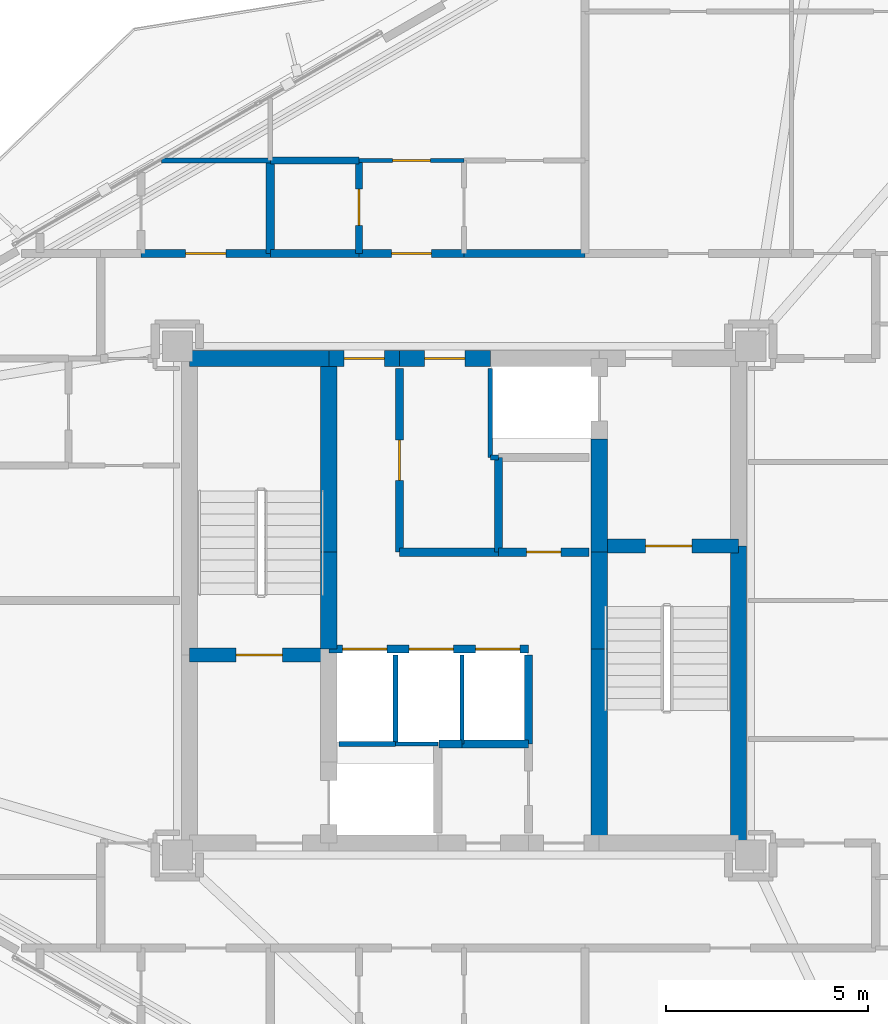
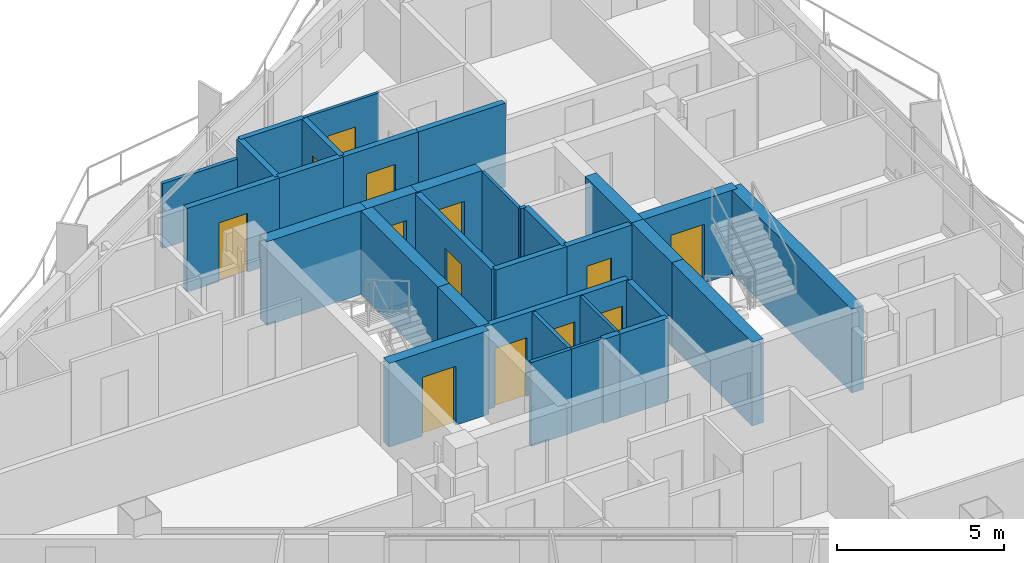
# One storey, part 14 of 18: 34 walls, 13 doors, 13 openings.
"""IFC4 building model written with IfcOpenShell, lengths in metres."""

from ifc_helpers import new_model, si_unit, direction, frame, frame_2d, origin, place, context, subcontext, project, spatial, rectangle, extrude, material, layer, layer_set, type_object, element, fill, save


model = new_model("IFC4")

# Units and contexts
model_context = context("Model", 3, precision=1e-05, world=origin(), true_north=direction((0.0, 1.0)))
body_context = subcontext(model_context, "Body", "Model", "MODEL_VIEW")
ifc_project = project(units=[si_unit("LENGTHUNIT", "METRE"), si_unit("AREAUNIT", "SQUARE_METRE"), si_unit("VOLUMEUNIT", "CUBIC_METRE"), si_unit("PLANEANGLEUNIT", "RADIAN"), si_unit("MASSUNIT", "GRAM", prefix="KILO")], contexts=[model_context])

# Site, building, storey
site_placement = place(None, origin())
site = spatial("IfcSite", under=ifc_project, at=site_placement, CompositionType="ELEMENT")
building_placement = place(site_placement, origin())
building = spatial("IfcBuilding", under=site, at=building_placement, Name="Mersakhor Tower and Convention Hall", CompositionType="ELEMENT")
storey_placement = place(building_placement, frame((0.0, 0.0, 150.89990234375)))
storey = spatial("IfcBuildingStorey", under=building, at=storey_placement, Name="L42", CompositionType="ELEMENT", Elevation=150.89990234375)

# Wall, opening, door
ifc_material_1 = material(Name="Moisture-resistant acoustic drywall studwork", Category="other")
ifc_layer_1 = layer(ifc_material_1, 0.175048828125)
ifc_layer_set_1 = layer_set([ifc_layer_1], Name="Moisture-resistant acoustic drywall studwork")
wall_type_1 = type_object("IfcWallType", Name="WL-PLM-175", PredefinedType="PLUMBINGWALL", material=ifc_layer_set_1)
wall_1_placement = place(storey_placement, frame((26.39990234375, 35.35009765625, 0.0), z_axis=(0.0, 0.0, 1.0), x_axis=(0.0, 1.0, 0.0)))
wall_1 = element("IfcWall", 1, at=wall_1_placement, inside=storey, type_object=wall_type_1, Name="L42 Interior Partition Wall P-054", PredefinedType="PLUMBINGWALL", context=body_context, shape_type="SweptSolid", body=[
    extrude(rectangle(XDim=2.2998046875, YDim=0.175048828125, at=frame_2d((1.14990234375, 0.0))), origin(), (0.0, 0.0, 1.0), 3.06005859375),
])
opening_1_placement = place(wall_1_placement, frame((0.699951171875, 0.0, 0.0)))
opening_1 = element("IfcOpeningElement", 2, at=opening_1_placement, cuts=wall_1, Name="Opening WD-01", PredefinedType="OPENING", context=body_context, shape_type="SweptSolid", body=[
    extrude(rectangle(XDim=0.89990234375, YDim=2.10009765625, at=frame_2d((0.449951171875, 1.050048828125))), frame((0.0, 0.097412109375, 0.0), z_axis=(0.0, -1.0, 0.0), x_axis=(1.0, 0.0, 0.0)), (0.0, 0.0, 1.0), 0.195068359375),
])
ifc_material_2 = material(Name="Solid-core hardwood leaf in painted steel frame", Category="steel")
door_type_1 = type_object("IfcDoorType", Name="DR-INT-WET-090x210", OperationType="NOTDEFINED", PredefinedType="DOOR", material=ifc_material_2)
door_1_placement = place(opening_1_placement, origin())
door_1 = element("IfcDoor", 3, at=door_1_placement, inside=storey, type_object=door_type_1, Name="L42 L42 Flat N2 Apartment Hall to L42 Flat N2 Bathroom Door", OperationType="SINGLE_SWING_LEFT", OverallHeight=2.10009765625, OverallWidth=0.89990234375, PredefinedType="DOOR", context=body_context, shape_type="SweptSolid", body=[
    extrude(rectangle(XDim=0.89990234375, YDim=2.10009765625, at=frame_2d((0.449951171875, 1.050048828125))), frame((0.0, 0.02490234375, 0.0), z_axis=(0.0, -1.0, 0.0), x_axis=(1.0, 0.0, 0.0)), (0.0, 0.0, 1.0), 0.050048828125),
])
fill(opening_1, door_1)

# Walls
wall_2_placement = place(storey_placement, frame((24.199951171875, 37.64990234375, 0.0), z_axis=(0.0, 0.0, 1.0), x_axis=(1.0, 0.0, 0.0)))
element("IfcWall", 4, at=wall_2_placement, inside=storey, type_object=wall_type_1, Name="L42 Interior Partition Wall P-063", PredefinedType="PLUMBINGWALL", context=body_context, shape_type="SweptSolid", body=[
    extrude(rectangle(XDim=2.199951171875, YDim=0.175048828125, at=frame_2d((1.10009765625, 0.0))), origin(), (0.0, 0.0, 1.0), 3.06005859375),
])
ifc_material_3 = material(Name="Lightweight gypsum partition", Category="other")
ifc_layer_2 = layer(ifc_material_3, 0.10009765625)
ifc_layer_set_2 = layer_set([ifc_layer_2], Name="Lightweight gypsum partition")
wall_type_2 = type_object("IfcWallType", Name="WL-PRT-100", PredefinedType="PARTITIONING", material=ifc_layer_set_2)
wall_3_placement = place(storey_placement, frame((27.300048828125, 23.199951171875, 0.0), z_axis=(0.0, 0.0, 1.0), x_axis=(1.0, 0.0, 0.0)))
element("IfcWall", 5, at=wall_3_placement, inside=storey, type_object=wall_type_2, Name="L42 Interior Partition Wall P-002", PredefinedType="PARTITIONING", context=body_context, shape_type="SweptSolid", body=[
    extrude(rectangle(XDim=1.050048828125, YDim=0.10009765625, at=frame_2d((0.52490234375, 0.0))), origin(), (0.0, 0.0, 1.0), 3.06005859375),
])
for number, where, z_axis, x_axis, name in (
    (6, (29.64990234375, 30.300048828125, 0.0), (0.0, 0.0, 1.0), (0.0, 1.0, 0.0), "L42 Interior Partition Wall P-006"),
    (7, (28.949951171875, 25.39990234375, 0.0), (0.0, 0.0, 1.0), (0.0, -1.0, 0.0), "L42 Interior Partition Wall P-008"),
):
    element("IfcWall", number, at=place(storey_placement, frame(where, z_axis=z_axis, x_axis=x_axis)), inside=storey, type_object=wall_type_2, Name=name, PredefinedType="PARTITIONING", context=body_context, shape_type="SweptSolid", body=[
        extrude(rectangle(XDim=2.199951171875, YDim=0.10009765625, at=frame_2d((1.10009765625, 0.0))), origin(), (0.0, 0.0, 1.0), 3.06005859375),
    ])

# Wall, opening, door
wall_4_placement = place(storey_placement, frame((26.39990234375, 37.64990234375, 0.0), z_axis=(0.0, 0.0, 1.0), x_axis=(1.0, 0.0, 0.0)))
wall_4 = element("IfcWall", 8, at=wall_4_placement, inside=storey, type_object=wall_type_2, Name="L42 Interior Partition Wall P-052", PredefinedType="PARTITIONING", context=body_context, shape_type="SweptSolid", body=[
    extrude(rectangle(XDim=2.60009765625, YDim=0.10009765625, at=frame_2d((1.300048828125, 0.0))), origin(), (0.0, 0.0, 1.0), 3.06005859375),
])
opening_2_placement = place(wall_4_placement, frame((0.824951171875, 0.0, 0.0)))
opening_2 = element("IfcOpeningElement", 9, at=opening_2_placement, cuts=wall_4, Name="Opening RD-01", PredefinedType="OPENING", context=body_context, shape_type="SweptSolid", body=[
    extrude(rectangle(XDim=0.949951171875, YDim=2.10009765625, at=frame_2d((0.47509765625, 1.050048828125))), frame((0.0, 0.06005859375, 0.0), z_axis=(0.0, -1.0, 0.0), x_axis=(1.0, 0.0, 0.0)), (0.0, 0.0, 1.0), 0.1201171875),
])
ifc_material_4 = material(Name="Solid-core hardwood leaf in painted steel frame", Category="steel")
door_type_2 = type_object("IfcDoorType", Name="DR-INT-RM-095x210", OperationType="NOTDEFINED", PredefinedType="DOOR", material=ifc_material_4)
door_2_placement = place(opening_2_placement, origin())
door_2 = element("IfcDoor", 10, at=door_2_placement, inside=storey, type_object=door_type_2, Name="L42 L42 Flat N2 Apartment Hall to L42 Flat N2 Studio Living and Sleeping Room Door", OperationType="SINGLE_SWING_LEFT", OverallHeight=2.10009765625, OverallWidth=0.949951171875, PredefinedType="DOOR", context=body_context, shape_type="SweptSolid", body=[
    extrude(rectangle(XDim=0.949951171875, YDim=2.10009765625, at=frame_2d((0.47509765625, 1.050048828125))), frame((0.0, 0.02490234375, 0.0), z_axis=(0.0, -1.0, 0.0), x_axis=(1.0, 0.0, 0.0)), (0.0, 0.0, 1.0), 0.050048828125),
])
fill(opening_2, door_2)

# Walls
ifc_material_5 = material(Name="Gypsum board acoustic partition", Category="other")
ifc_layer_3 = layer(ifc_material_5, 0.125)
ifc_layer_set_3 = layer_set([ifc_layer_3], Name="Gypsum board acoustic partition")
wall_type_3 = type_object("IfcWallType", Name="WL-PRT-125", PredefinedType="PARTITIONING", material=ifc_layer_set_3)
wall_5_placement = place(storey_placement, frame((25.89990234375, 23.199951171875, 0.0), z_axis=(0.0, 0.0, 1.0), x_axis=(1.0, 0.0, 0.0)))
element("IfcWall", 11, at=wall_5_placement, inside=storey, type_object=wall_type_3, Name="L42 Interior Partition Wall P-001", PredefinedType="PARTITIONING", context=body_context, shape_type="SweptSolid", body=[
    extrude(rectangle(XDim=1.400146484375, YDim=0.125, at=frame_2d((0.7001953125, 0.0))), origin(), (0.0, 0.0, 1.0), 3.06005859375),
])
wall_6_placement = place(storey_placement, frame((29.85009765625, 30.300048828125, 0.0), z_axis=(0.0, 0.0, 1.0), x_axis=(-1.0, 0.0, 0.0)))
element("IfcWall", 12, at=wall_6_placement, inside=storey, type_object=wall_type_3, Name="L42 Interior Partition Wall P-005", PredefinedType="PARTITIONING", context=body_context, shape_type="SweptSolid", body=[
    extrude(rectangle(XDim=0.2001953125, YDim=0.125, at=frame_2d((0.10009765625, 0.0))), origin(), (0.0, 0.0, 1.0), 3.06005859375),
])
wall_7_placement = place(storey_placement, frame((27.300048828125, 25.39990234375, 0.0), z_axis=(0.0, 0.0, 1.0), x_axis=(0.0, -1.0, 0.0)))
element("IfcWall", 13, at=wall_7_placement, inside=storey, type_object=wall_type_3, Name="L42 Interior Partition Wall P-007", PredefinedType="PARTITIONING", context=body_context, shape_type="SweptSolid", body=[
    extrude(rectangle(XDim=2.199951171875, YDim=0.125, at=frame_2d((1.10009765625, 0.0))), origin(), (0.0, 0.0, 1.0), 3.06005859375),
])
wall_8_placement = place(storey_placement, frame((21.510009765625, 37.64990234375, 0.0), z_axis=(0.0, 0.0, 1.0), x_axis=(1.0, 0.0, 0.0)))
element("IfcWall", 14, at=wall_8_placement, inside=storey, type_object=wall_type_3, Name="L42 Interior Partition Wall P-109", PredefinedType="PARTITIONING", context=body_context, shape_type="SweptSolid", body=[
    extrude(rectangle(XDim=2.68994140625, YDim=0.125, at=frame_2d((1.344970703125, 0.0))), origin(), (0.0, 0.0, 1.0), 2.364990234375),
])

# Wall, openings, doors
ifc_material_6 = material(Name="Acoustic concrete blockwork and gypsum board", Category="masonry")
ifc_layer_4 = layer(ifc_material_6, 0.199951171875)
ifc_layer_set_4 = layer_set([ifc_layer_4], Name="Acoustic concrete blockwork and gypsum board")
wall_type_4 = type_object("IfcWallType", Name="WL-PRT-200", PredefinedType="PARTITIONING", material=ifc_layer_set_4)
wall_9_placement = place(storey_placement, frame((25.64990234375, 25.550048828125, 0.0), z_axis=(0.0, 0.0, 1.0), x_axis=(1.0, 0.0, 0.0)))
wall_9 = element("IfcWall", 15, at=wall_9_placement, inside=storey, type_object=wall_type_4, Name="L42 High-Rise Lift Bank Front Wall", PredefinedType="PARTITIONING", context=body_context, shape_type="SweptSolid", body=[
    extrude(rectangle(XDim=4.9501953125, YDim=0.199951171875, at=frame_2d((2.47509765625, 0.0))), origin(), (0.0, 0.0, 1.0), 3.06005859375),
])
opening_3_placement = place(wall_9_placement, frame((0.340087890625, 0.0, 0.0)))
opening_3 = element("IfcOpeningElement", 16, at=opening_3_placement, cuts=wall_9, Name="Opening LD-P4", PredefinedType="OPENING", context=body_context, shape_type="SweptSolid", body=[
    extrude(rectangle(XDim=1.10009765625, YDim=2.14990234375, at=frame_2d((0.550048828125, 1.074951171875))), frame((0.0, 0.10986328125, 0.0), z_axis=(0.0, -1.0, 0.0), x_axis=(1.0, 0.0, 0.0)), (0.0, 0.0, 1.0), 0.219970703125),
])
opening_4_placement = place(wall_9_placement, frame((1.989990234375, 0.0, 0.0)))
opening_4 = element("IfcOpeningElement", 17, at=opening_4_placement, cuts=wall_9, Name="Opening LD-P5", PredefinedType="OPENING", context=body_context, shape_type="SweptSolid", body=[
    extrude(rectangle(XDim=1.10009765625, YDim=2.14990234375, at=frame_2d((0.550048828125, 1.074951171875))), frame((0.0, 0.10986328125, 0.0), z_axis=(0.0, -1.0, 0.0), x_axis=(1.0, 0.0, 0.0)), (0.0, 0.0, 1.0), 0.219970703125),
])
opening_5_placement = place(wall_9_placement, frame((3.639892578125, 0.0, 0.0)))
opening_5 = element("IfcOpeningElement", 18, at=opening_5_placement, cuts=wall_9, Name="Opening LD-P6", PredefinedType="OPENING", context=body_context, shape_type="SweptSolid", body=[
    extrude(rectangle(XDim=1.10009765625, YDim=2.14990234375, at=frame_2d((0.550048828125, 1.074951171875))), frame((0.0, 0.10986328125, 0.0), z_axis=(0.0, -1.0, 0.0), x_axis=(1.0, 0.0, 0.0)), (0.0, 0.0, 1.0), 0.219970703125),
])
ifc_material_7 = material(Name="Fire-rated brushed stainless steel sliding landing door", Category="steel")
door_type_3 = type_object("IfcDoorType", Name="DR-LIFT-SLD-110x215", OperationType="NOTDEFINED", PredefinedType="DOOR", material=ifc_material_7)
door_3_placement = place(opening_3_placement, origin())
door_3 = element("IfcDoor", 19, at=door_3_placement, inside=storey, type_object=door_type_3, Name="L42 Lift Landing Door LD-P4", OperationType="SLIDING_TO_LEFT", OverallHeight=2.14990234375, OverallWidth=1.10009765625, PredefinedType="DOOR", context=body_context, shape_type="SweptSolid", body=[
    extrude(rectangle(XDim=1.10009765625, YDim=2.14990234375, at=frame_2d((0.550048828125, 1.074951171875))), frame((0.0, 0.02490234375, 0.0), z_axis=(0.0, -1.0, 0.0), x_axis=(1.0, 0.0, 0.0)), (0.0, 0.0, 1.0), 0.050048828125),
])
fill(opening_3, door_3)
door_4_placement = place(opening_4_placement, origin())
door_4 = element("IfcDoor", 20, at=door_4_placement, inside=storey, type_object=door_type_3, Name="L42 Lift Landing Door LD-P5", OperationType="SLIDING_TO_LEFT", OverallHeight=2.14990234375, OverallWidth=1.10009765625, PredefinedType="DOOR", context=body_context, shape_type="SweptSolid", body=[
    extrude(rectangle(XDim=1.10009765625, YDim=2.14990234375, at=frame_2d((0.550048828125, 1.074951171875))), frame((0.0, 0.02490234375, 0.0), z_axis=(0.0, -1.0, 0.0), x_axis=(1.0, 0.0, 0.0)), (0.0, 0.0, 1.0), 0.050048828125),
])
fill(opening_4, door_4)
door_5_placement = place(opening_5_placement, origin())
door_5 = element("IfcDoor", 21, at=door_5_placement, inside=storey, type_object=door_type_3, Name="L42 Lift Landing Door LD-P6", OperationType="SLIDING_TO_LEFT", OverallHeight=2.14990234375, OverallWidth=1.10009765625, PredefinedType="DOOR", context=body_context, shape_type="SweptSolid", body=[
    extrude(rectangle(XDim=1.10009765625, YDim=2.14990234375, at=frame_2d((0.550048828125, 1.074951171875))), frame((0.0, 0.02490234375, 0.0), z_axis=(0.0, -1.0, 0.0), x_axis=(1.0, 0.0, 0.0)), (0.0, 0.0, 1.0), 0.050048828125),
])
fill(opening_5, door_5)

# Walls
wall_10_placement = place(storey_placement, frame((28.949951171875, 23.199951171875, 0.0), z_axis=(0.0, 0.0, 1.0), x_axis=(-1.0, 0.0, 0.0)))
element("IfcWall", 22, at=wall_10_placement, inside=storey, type_object=wall_type_4, Name="L42 Interior Partition Wall P-009", PredefinedType="PARTITIONING", context=body_context, shape_type="SweptSolid", body=[
    extrude(rectangle(XDim=0.570068359375, YDim=0.199951171875, at=frame_2d((0.28515625, 0.0))), origin(), (0.0, 0.0, 1.0), 3.06005859375),
])
wall_11_placement = place(storey_placement, frame((30.60009765625, 25.39990234375, 0.0), z_axis=(0.0, 0.0, 1.0), x_axis=(0.0, -1.0, 0.0)))
element("IfcWall", 23, at=wall_11_placement, inside=storey, type_object=wall_type_4, Name="L42 Interior Partition Wall P-010", PredefinedType="PARTITIONING", context=body_context, shape_type="SweptSolid", body=[
    extrude(rectangle(XDim=2.199951171875, YDim=0.199951171875, at=frame_2d((1.10009765625, 0.0))), origin(), (0.0, 0.0, 1.0), 3.06005859375),
])
wall_12_placement = place(storey_placement, frame((30.60009765625, 23.199951171875, 0.0), z_axis=(0.0, 0.0, 1.0), x_axis=(-1.0, 0.0, 0.0)))
element("IfcWall", 24, at=wall_12_placement, inside=storey, type_object=wall_type_4, Name="L42 Interior Partition Wall P-011", PredefinedType="PARTITIONING", context=body_context, shape_type="SweptSolid", body=[
    extrude(rectangle(XDim=1.650146484375, YDim=0.199951171875, at=frame_2d((0.8251953125, 0.0))), origin(), (0.0, 0.0, 1.0), 3.06005859375),
])

# Wall, opening, door
wall_13_placement = place(storey_placement, frame((27.39990234375, 32.5, 0.0), z_axis=(0.0, 0.0, 1.0), x_axis=(0.0, -1.0, 0.0)))
wall_13 = element("IfcWall", 25, at=wall_13_placement, inside=storey, type_object=wall_type_4, Name="L42 Interior Partition Wall P-013", PredefinedType="PARTITIONING", context=body_context, shape_type="SweptSolid", body=[
    extrude(rectangle(XDim=4.550048828125, YDim=0.199951171875, at=frame_2d((2.27490234375, 0.0))), origin(), (0.0, 0.0, 1.0), 3.06005859375),
])
opening_6_placement = place(wall_13_placement, frame((1.77490234375, 0.0, 0.0)))
opening_6 = element("IfcOpeningElement", 26, at=opening_6_placement, cuts=wall_13, Name="Opening FD-01", PredefinedType="OPENING", context=body_context, shape_type="SweptSolid", body=[
    extrude(rectangle(XDim=1.0, YDim=2.14990234375, at=frame_2d((0.5, 1.074951171875))), frame((0.0, 0.10986328125, 0.0), z_axis=(0.0, -1.0, 0.0), x_axis=(1.0, 0.0, 0.0)), (0.0, 0.0, 1.0), 0.219970703125),
])
ifc_material_8 = material(Name="Fire-rated hardwood leaf and painted steel frame", Category="steel")
door_type_4 = type_object("IfcDoorType", Name="DR-INT-FLT-100x215", OperationType="NOTDEFINED", PredefinedType="DOOR", material=ifc_material_8)
door_6_placement = place(opening_6_placement, origin())
door_6 = element("IfcDoor", 27, at=door_6_placement, inside=storey, type_object=door_type_4, Name="L42 Central Passenger Lift Lobby to Communal Resident Laundry Room Door", OperationType="SINGLE_SWING_LEFT", OverallHeight=2.14990234375, OverallWidth=1.0, PredefinedType="DOOR", context=body_context, shape_type="SweptSolid", body=[
    extrude(rectangle(XDim=1.0, YDim=2.14990234375, at=frame_2d((0.5, 1.074951171875))), frame((0.0, 0.02490234375, 0.0), z_axis=(0.0, -1.0, 0.0), x_axis=(1.0, 0.0, 0.0)), (0.0, 0.0, 1.0), 0.050048828125),
])
fill(opening_6, door_6)

# Wall
wall_14_placement = place(storey_placement, frame((27.39990234375, 27.949951171875, 0.0), z_axis=(0.0, 0.0, 1.0), x_axis=(1.0, 0.0, 0.0)))
element("IfcWall", 28, at=wall_14_placement, inside=storey, type_object=wall_type_4, Name="L42 Interior Partition Wall P-014", PredefinedType="PARTITIONING", context=body_context, shape_type="SweptSolid", body=[
    extrude(rectangle(XDim=2.4501953125, YDim=0.199951171875, at=frame_2d((1.22509765625, 0.0))), origin(), (0.0, 0.0, 1.0), 3.06005859375),
])

# Wall, opening, door
wall_15_placement = place(storey_placement, frame((29.85009765625, 27.949951171875, 0.0), z_axis=(0.0, 0.0, 1.0), x_axis=(1.0, 0.0, 0.0)))
wall_15 = element("IfcWall", 29, at=wall_15_placement, inside=storey, type_object=wall_type_4, Name="L42 Interior Partition Wall P-015", PredefinedType="PARTITIONING", context=body_context, shape_type="SweptSolid", body=[
    extrude(rectangle(XDim=2.25, YDim=0.199951171875, at=frame_2d((1.125, 0.0))), origin(), (0.0, 0.0, 1.0), 3.06005859375),
])
opening_7_placement = place(wall_15_placement, frame((0.699951171875, 0.0, 0.0)))
opening_7 = element("IfcOpeningElement", 30, at=opening_7_placement, cuts=wall_15, Name="Opening SVD-01", PredefinedType="OPENING", context=body_context, shape_type="SweptSolid", body=[
    extrude(rectangle(XDim=0.85009765625, YDim=2.10009765625, at=frame_2d((0.425048828125, 1.050048828125))), frame((0.0, 0.10986328125, 0.0), z_axis=(0.0, -1.0, 0.0), x_axis=(1.0, 0.0, 0.0)), (0.0, 0.0, 1.0), 0.219970703125),
])
ifc_material_9 = material(Name="Fire-rated hardwood leaf and painted steel frame", Category="steel")
door_type_5 = type_object("IfcDoorType", Name="DR-INT-SVC-085x210", OperationType="NOTDEFINED", PredefinedType="DOOR", material=ifc_material_9)
door_7_placement = place(opening_7_placement, origin())
door_7 = element("IfcDoor", 31, at=door_7_placement, inside=storey, type_object=door_type_5, Name="L42 Central Passenger Lift Lobby to Resident Pram and Linen Store Room Door", OperationType="SINGLE_SWING_RIGHT", OverallHeight=2.10009765625, OverallWidth=0.85009765625, PredefinedType="DOOR", context=body_context, shape_type="SweptSolid", body=[
    extrude(rectangle(XDim=0.85009765625, YDim=2.10009765625, at=frame_2d((0.425048828125, 1.050048828125))), frame((0.0, 0.02490234375, 0.0), z_axis=(0.0, -1.0, 0.0), x_axis=(1.0, 0.0, 0.0)), (0.0, 0.0, 1.0), 0.050048828125),
])
fill(opening_7, door_7)

wall_16_placement = place(storey_placement, frame((21.0, 35.35009765625, 0.0), z_axis=(0.0, 0.0, 1.0), x_axis=(1.0, 0.0, 0.0)))
wall_16 = element("IfcWall", 32, at=wall_16_placement, inside=storey, type_object=wall_type_4, Name="L42 Interior Partition Wall P-023", PredefinedType="PARTITIONING", context=body_context, shape_type="SweptSolid", body=[
    extrude(rectangle(XDim=3.199951171875, YDim=0.199951171875, at=frame_2d((1.60009765625, 0.0))), origin(), (0.0, 0.0, 1.0), 3.06005859375),
])
opening_8_placement = place(wall_16_placement, frame((1.10009765625, 0.0, 0.0)))
opening_8 = element("IfcOpeningElement", 33, at=opening_8_placement, cuts=wall_16, Name="Opening FD-01", PredefinedType="OPENING", context=body_context, shape_type="SweptSolid", body=[
    extrude(rectangle(XDim=1.0, YDim=2.14990234375, at=frame_2d((0.5, 1.074951171875))), frame((0.0, 0.10986328125, 0.0), z_axis=(0.0, -1.0, 0.0), x_axis=(1.0, 0.0, 0.0)), (0.0, 0.0, 1.0), 0.219970703125),
])
door_8_placement = place(opening_8_placement, origin())
door_8 = element("IfcDoor", 34, at=door_8_placement, inside=storey, type_object=door_type_4, Name="L42 Residential North Gallery Corridor to L42 Floor Shared Tea Pantry 1-2 Door", OperationType="SINGLE_SWING_RIGHT", OverallHeight=2.14990234375, OverallWidth=1.0, PredefinedType="DOOR", context=body_context, shape_type="SweptSolid", body=[
    extrude(rectangle(XDim=1.0, YDim=2.14990234375, at=frame_2d((0.5, 1.074951171875))), frame((0.0, 0.02490234375, 0.0), z_axis=(0.0, -1.0, 0.0), x_axis=(1.0, 0.0, 0.0)), (0.0, 0.0, 1.0), 0.050048828125),
])
fill(opening_8, door_8)

# Wall
wall_17_placement = place(storey_placement, frame((24.199951171875, 35.35009765625, 0.0), z_axis=(0.0, 0.0, 1.0), x_axis=(1.0, 0.0, 0.0)))
element("IfcWall", 35, at=wall_17_placement, inside=storey, type_object=wall_type_4, Name="L42 Interior Partition Wall P-024", PredefinedType="PARTITIONING", context=body_context, shape_type="SweptSolid", body=[
    extrude(rectangle(XDim=2.199951171875, YDim=0.199951171875, at=frame_2d((1.10009765625, 0.0))), origin(), (0.0, 0.0, 1.0), 3.06005859375),
])

# Wall, opening, door
wall_18_placement = place(storey_placement, frame((26.39990234375, 35.35009765625, 0.0), z_axis=(0.0, 0.0, 1.0), x_axis=(1.0, 0.0, 0.0)))
wall_18 = element("IfcWall", 36, at=wall_18_placement, inside=storey, type_object=wall_type_4, Name="L42 Interior Partition Wall P-025", PredefinedType="PARTITIONING", context=body_context, shape_type="SweptSolid", body=[
    extrude(rectangle(XDim=2.60009765625, YDim=0.199951171875, at=frame_2d((1.300048828125, 0.0))), origin(), (0.0, 0.0, 1.0), 3.06005859375),
])
opening_9_placement = place(wall_18_placement, frame((0.800048828125, 0.0, 0.0)))
opening_9 = element("IfcOpeningElement", 37, at=opening_9_placement, cuts=wall_18, Name="Opening FD-01", PredefinedType="OPENING", context=body_context, shape_type="SweptSolid", body=[
    extrude(rectangle(XDim=1.0, YDim=2.14990234375, at=frame_2d((0.5, 1.074951171875))), frame((0.0, 0.10986328125, 0.0), z_axis=(0.0, -1.0, 0.0), x_axis=(1.0, 0.0, 0.0)), (0.0, 0.0, 1.0), 0.219970703125),
])
door_9_placement = place(opening_9_placement, origin())
door_9 = element("IfcDoor", 38, at=door_9_placement, inside=storey, type_object=door_type_4, Name="L42 Apartment Entrance Door (Residential North Gallery Corridor to L42 Flat N2 Apartment Hall)", OperationType="SINGLE_SWING_RIGHT", OverallHeight=2.14990234375, OverallWidth=1.0, PredefinedType="DOOR", context=body_context, shape_type="SweptSolid", body=[
    extrude(rectangle(XDim=1.0, YDim=2.14990234375, at=frame_2d((0.5, 1.074951171875))), frame((0.0, 0.02490234375, 0.0), z_axis=(0.0, -1.0, 0.0), x_axis=(1.0, 0.0, 0.0)), (0.0, 0.0, 1.0), 0.050048828125),
])
fill(opening_9, door_9)

# Walls
wall_19_placement = place(storey_placement, frame((29.0, 35.35009765625, 0.0), z_axis=(0.0, 0.0, 1.0), x_axis=(1.0, 0.0, 0.0)))
element("IfcWall", 39, at=wall_19_placement, inside=storey, type_object=wall_type_4, Name="L42 Interior Partition Wall P-026", PredefinedType="PARTITIONING", context=body_context, shape_type="SweptSolid", body=[
    extrude(rectangle(XDim=3.0, YDim=0.199951171875, at=frame_2d((1.5, 0.0))), origin(), (0.0, 0.0, 1.0), 3.06005859375),
])
wall_20_placement = place(storey_placement, frame((24.199951171875, 35.35009765625, 0.0), z_axis=(0.0, 0.0, 1.0), x_axis=(0.0, 1.0, 0.0)))
element("IfcWall", 40, at=wall_20_placement, inside=storey, type_object=wall_type_4, Name="L42 Interior Partition Wall P-064", PredefinedType="PARTITIONING", context=body_context, shape_type="SweptSolid", body=[
    extrude(rectangle(XDim=2.2998046875, YDim=0.199951171875, at=frame_2d((1.14990234375, 0.0))), origin(), (0.0, 0.0, 1.0), 3.06005859375),
])
wall_21_placement = place(storey_placement, frame((29.85009765625, 30.300048828125, 0.0), z_axis=(0.0, 0.0, 1.0), x_axis=(0.0, -1.0, 0.0)))
element("IfcWall", 41, at=wall_21_placement, inside=storey, type_object=wall_type_4, Name="L42 Interior Partition Wall P-077", PredefinedType="PARTITIONING", context=body_context, shape_type="SweptSolid", body=[
    extrude(rectangle(XDim=2.35009765625, YDim=0.199951171875, at=frame_2d((1.175048828125, 0.0))), origin(), (0.0, 0.0, 1.0), 3.06005859375),
])

# Wall, opening, door
ifc_material_10 = material(Name="Concrete C50/60", Category="concrete")
ifc_layer_5 = layer(ifc_material_10, 0.35009765625)
ifc_layer_set_5 = layer_set([ifc_layer_5], Name="Concrete C50/60")
wall_type_5 = type_object("IfcWallType", Name="WL-SHR-350", PredefinedType="SHEAR", material=ifc_layer_set_5)
wall_22_placement = place(storey_placement, frame((22.199951171875, 25.39990234375, 0.0), z_axis=(0.0, 0.0, 1.0), x_axis=(1.0, 0.0, 0.0)))
wall_22 = element("IfcWall", 42, at=wall_22_placement, inside=storey, type_object=wall_type_5, Name="L42 Core Wall CS-ST1-S", PredefinedType="SHEAR", context=body_context, shape_type="SweptSolid", body=[
    extrude(rectangle(XDim=3.449951171875, YDim=0.35009765625, at=frame_2d((1.72509765625, 0.0))), origin(), (0.0, 0.0, 1.0), 3.06005859375),
])
opening_10_placement = place(wall_22_placement, frame((1.14990234375, 0.0, 0.0)))
opening_10 = element("IfcOpeningElement", 43, at=opening_10_placement, cuts=wall_22, Name="Opening SD-01", PredefinedType="OPENING", context=body_context, shape_type="SweptSolid", body=[
    extrude(rectangle(XDim=1.14990234375, YDim=2.14990234375, at=frame_2d((0.574951171875, 1.074951171875))), frame((0.0, 0.18505859375, 0.0), z_axis=(0.0, -1.0, 0.0), x_axis=(1.0, 0.0, 0.0)), (0.0, 0.0, 1.0), 0.3701171875),
])
ifc_material_11 = material(Name="Fire-rated hardwood leaf and painted steel frame", Category="steel")
door_type_6 = type_object("IfcDoorType", Name="DR-INT-STAIR-115x215", OperationType="NOTDEFINED", PredefinedType="DOOR", material=ifc_material_11)
door_10_placement = place(opening_10_placement, origin())
door_10 = element("IfcDoor", 44, at=door_10_placement, inside=storey, type_object=door_type_6, Name="L42 Exit Stair ST-1 Enclosure Door", OperationType="SINGLE_SWING_LEFT", OverallHeight=2.14990234375, OverallWidth=1.14990234375, PredefinedType="DOOR", context=body_context, shape_type="SweptSolid", body=[
    extrude(rectangle(XDim=1.14990234375, YDim=2.14990234375, at=frame_2d((0.574951171875, 1.074951171875))), frame((0.0, 0.02490234375, 0.0), z_axis=(0.0, -1.0, 0.0), x_axis=(1.0, 0.0, 0.0)), (0.0, 0.0, 1.0), 0.050048828125),
])
fill(opening_10, door_10)

wall_23_placement = place(storey_placement, frame((32.35009765625, 28.10009765625, 0.0), z_axis=(0.0, 0.0, 1.0), x_axis=(1.0, 0.0, 0.0)))
wall_23 = element("IfcWall", 45, at=wall_23_placement, inside=storey, type_object=wall_type_5, Name="L42 Core Wall CS-ST2-N", PredefinedType="SHEAR", context=body_context, shape_type="SweptSolid", body=[
    extrude(rectangle(XDim=3.449951171875, YDim=0.35009765625, at=frame_2d((1.72509765625, 0.0))), origin(), (0.0, 0.0, 1.0), 3.06005859375),
])
opening_11_placement = place(wall_23_placement, frame((1.14990234375, 0.0, 0.0)))
opening_11 = element("IfcOpeningElement", 46, at=opening_11_placement, cuts=wall_23, Name="Opening SD-01", PredefinedType="OPENING", context=body_context, shape_type="SweptSolid", body=[
    extrude(rectangle(XDim=1.14990234375, YDim=2.14990234375, at=frame_2d((0.574951171875, 1.074951171875))), frame((0.0, 0.18505859375, 0.0), z_axis=(0.0, -1.0, 0.0), x_axis=(1.0, 0.0, 0.0)), (0.0, 0.0, 1.0), 0.3701171875),
])
door_11_placement = place(opening_11_placement, origin())
door_11 = element("IfcDoor", 47, at=door_11_placement, inside=storey, type_object=door_type_6, Name="L42 Exit Stair ST-2 Enclosure Door", OperationType="SINGLE_SWING_RIGHT", OverallHeight=2.14990234375, OverallWidth=1.14990234375, PredefinedType="DOOR", context=body_context, shape_type="SweptSolid", body=[
    extrude(rectangle(XDim=1.14990234375, YDim=2.14990234375, at=frame_2d((0.574951171875, 1.074951171875))), frame((0.0, 0.02490234375, 0.0), z_axis=(0.0, -1.0, 0.0), x_axis=(1.0, 0.0, 0.0)), (0.0, 0.0, 1.0), 0.050048828125),
])
fill(opening_11, door_11)

# Wall
ifc_material_12 = material(Name="Concrete C60/75", Category="concrete")
ifc_layer_6 = layer(ifc_material_12, 0.39990234375)
ifc_layer_set_6 = layer_set([ifc_layer_6], Name="Concrete C60/75")
wall_type_6 = type_object("IfcWallType", Name="WL-SHR-400", PredefinedType="SHEAR", material=ifc_layer_set_6)
wall_24_placement = place(storey_placement, frame((22.199951171875, 32.75, 0.0), z_axis=(0.0, 0.0, 1.0), x_axis=(1.0, 0.0, 0.0)))
element("IfcWall", 48, at=wall_24_placement, inside=storey, type_object=wall_type_6, Name="L42 Core Wall CW-N1", PredefinedType="SHEAR", context=body_context, shape_type="SweptSolid", body=[
    extrude(rectangle(XDim=3.449951171875, YDim=0.39990234375, at=frame_2d((1.72509765625, 0.0))), origin(), (0.0, 0.0, 1.0), 3.06005859375),
])

# Wall, opening, door
wall_25_placement = place(storey_placement, frame((25.64990234375, 32.75, 0.0), z_axis=(0.0, 0.0, 1.0), x_axis=(1.0, 0.0, 0.0)))
wall_25 = element("IfcWall", 49, at=wall_25_placement, inside=storey, type_object=wall_type_6, Name="L42 Core Wall CW-N2A", PredefinedType="SHEAR", context=body_context, shape_type="SweptSolid", body=[
    extrude(rectangle(XDim=1.75, YDim=0.39990234375, at=frame_2d((0.875, 0.0))), origin(), (0.0, 0.0, 1.0), 3.06005859375),
])
opening_12_placement = place(wall_25_placement, frame((0.375, 0.0, 0.0)))
opening_12 = element("IfcOpeningElement", 50, at=opening_12_placement, cuts=wall_25, Name="Opening CFD-01", PredefinedType="OPENING", context=body_context, shape_type="SweptSolid", body=[
    extrude(rectangle(XDim=1.0, YDim=2.14990234375, at=frame_2d((0.5, 1.074951171875))), frame((0.0, 0.2099609375, 0.0), z_axis=(0.0, -1.0, 0.0), x_axis=(1.0, 0.0, 0.0)), (0.0, 0.0, 1.0), 0.419921875),
])
ifc_material_13 = material(Name="Fire-rated hardwood leaf and painted steel frame", Category="steel")
door_type_7 = type_object("IfcDoorType", Name="DR-CORE-FD-100x215", OperationType="NOTDEFINED", PredefinedType="DOOR", material=ifc_material_13)
door_12_placement = place(opening_12_placement, origin())
door_12 = element("IfcDoor", 51, at=door_12_placement, inside=storey, type_object=door_type_7, Name="L42 Lift Lobby North Corridor Door", OperationType="SINGLE_SWING_LEFT", OverallHeight=2.14990234375, OverallWidth=1.0, PredefinedType="DOOR", context=body_context, shape_type="SweptSolid", body=[
    extrude(rectangle(XDim=1.0, YDim=2.14990234375, at=frame_2d((0.5, 1.074951171875))), frame((0.0, 0.02490234375, 0.0), z_axis=(0.0, -1.0, 0.0), x_axis=(1.0, 0.0, 0.0)), (0.0, 0.0, 1.0), 0.050048828125),
])
fill(opening_12, door_12)

wall_26_placement = place(storey_placement, frame((27.39990234375, 32.75, 0.0), z_axis=(0.0, 0.0, 1.0), x_axis=(1.0, 0.0, 0.0)))
wall_26 = element("IfcWall", 52, at=wall_26_placement, inside=storey, type_object=wall_type_6, Name="L42 Core Wall CW-N2B", PredefinedType="SHEAR", context=body_context, shape_type="SweptSolid", body=[
    extrude(rectangle(XDim=2.25, YDim=0.39990234375, at=frame_2d((1.125, 0.0))), origin(), (0.0, 0.0, 1.0), 3.06005859375),
])
opening_13_placement = place(wall_26_placement, frame((0.625, 0.0, 0.0)))
opening_13 = element("IfcOpeningElement", 53, at=opening_13_placement, cuts=wall_26, Name="Opening FD-01", PredefinedType="OPENING", context=body_context, shape_type="SweptSolid", body=[
    extrude(rectangle(XDim=1.0, YDim=2.14990234375, at=frame_2d((0.5, 1.074951171875))), frame((0.0, 0.2099609375, 0.0), z_axis=(0.0, -1.0, 0.0), x_axis=(1.0, 0.0, 0.0)), (0.0, 0.0, 1.0), 0.419921875),
])
door_13_placement = place(opening_13_placement, origin())
door_13 = element("IfcDoor", 54, at=door_13_placement, inside=storey, type_object=door_type_4, Name="L42 Residential North Gallery Corridor to Communal Resident Laundry Room Door", OperationType="SINGLE_SWING_RIGHT", OverallHeight=2.14990234375, OverallWidth=1.0, PredefinedType="DOOR", context=body_context, shape_type="SweptSolid", body=[
    extrude(rectangle(XDim=1.0, YDim=2.14990234375, at=frame_2d((0.5, 1.074951171875))), frame((0.0, 0.02490234375, 0.0), z_axis=(0.0, -1.0, 0.0), x_axis=(1.0, 0.0, 0.0)), (0.0, 0.0, 1.0), 0.050048828125),
])
fill(opening_13, door_13)

# Walls
wall_27_placement = place(storey_placement, frame((35.800048828125, 28.10009765625, 0.0), z_axis=(0.0, 0.0, 1.0), x_axis=(0.0, -1.0, 0.0)))
element("IfcWall", 55, at=wall_27_placement, inside=storey, type_object=wall_type_6, Name="L42 Core Wall CW-E2", PredefinedType="SHEAR", context=body_context, shape_type="SweptSolid", body=[
    extrude(rectangle(XDim=7.35009765625, YDim=0.39990234375, at=frame_2d((3.675048828125, 0.0))), origin(), (0.0, 0.0, 1.0), 3.06005859375),
])
wall_28_placement = place(storey_placement, frame((25.64990234375, 25.550048828125, 0.0), z_axis=(0.0, 0.0, 1.0), x_axis=(0.0, 1.0, 0.0)))
element("IfcWall", 56, at=wall_28_placement, inside=storey, type_object=wall_type_6, Name="L42 Core Wall CS-W-LOB", PredefinedType="SHEAR", context=body_context, shape_type="SweptSolid", body=[
    extrude(rectangle(XDim=2.39990234375, YDim=0.39990234375, at=frame_2d((1.199951171875, 0.0))), origin(), (0.0, 0.0, 1.0), 3.06005859375),
])
for number, where, z_axis, x_axis, name in (
    (57, (25.64990234375, 27.949951171875, 0.0), (0.0, 0.0, 1.0), (0.0, 1.0, 0.0), "L42 Core Wall CS-W-ST1"),
    (58, (32.35009765625, 20.75, 0.0), (0.0, 0.0, 1.0), (0.0, 1.0, 0.0), "L42 Core Wall CS-E-ST2"),
):
    element("IfcWall", number, at=place(storey_placement, frame(where, z_axis=z_axis, x_axis=x_axis)), inside=storey, type_object=wall_type_6, Name=name, PredefinedType="SHEAR", context=body_context, shape_type="SweptSolid", body=[
        extrude(rectangle(XDim=4.800048828125, YDim=0.39990234375, at=frame_2d((2.39990234375, 0.0))), origin(), (0.0, 0.0, 1.0), 3.06005859375),
    ])
wall_29_placement = place(storey_placement, frame((32.35009765625, 25.550048828125, 0.0), z_axis=(0.0, 0.0, 1.0), x_axis=(0.0, 1.0, 0.0)))
element("IfcWall", 59, at=wall_29_placement, inside=storey, type_object=wall_type_6, Name="L42 Core Wall CS-E-LOB", PredefinedType="SHEAR", context=body_context, shape_type="SweptSolid", body=[
    extrude(rectangle(XDim=2.39990234375, YDim=0.39990234375, at=frame_2d((1.199951171875, 0.0))), origin(), (0.0, 0.0, 1.0), 3.06005859375),
])
wall_30_placement = place(storey_placement, frame((32.35009765625, 27.949951171875, 0.0), z_axis=(0.0, 0.0, 1.0), x_axis=(0.0, 1.0, 0.0)))
element("IfcWall", 60, at=wall_30_placement, inside=storey, type_object=wall_type_6, Name="L42 Core Wall CS-E-MID", PredefinedType="SHEAR", context=body_context, shape_type="SweptSolid", body=[
    extrude(rectangle(XDim=2.800048828125, YDim=0.39990234375, at=frame_2d((1.39990234375, 0.0))), origin(), (0.0, 0.0, 1.0), 3.06005859375),
])

save(model, "model.ifc")
